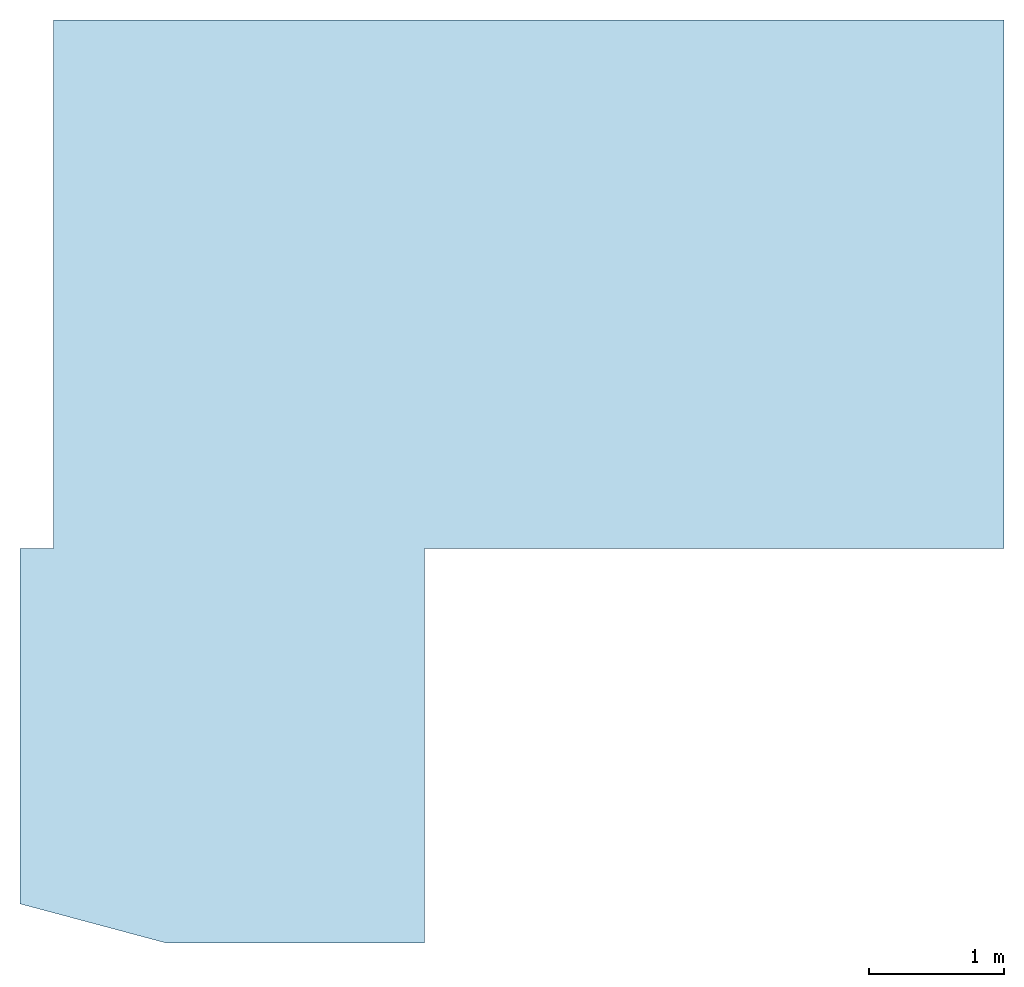
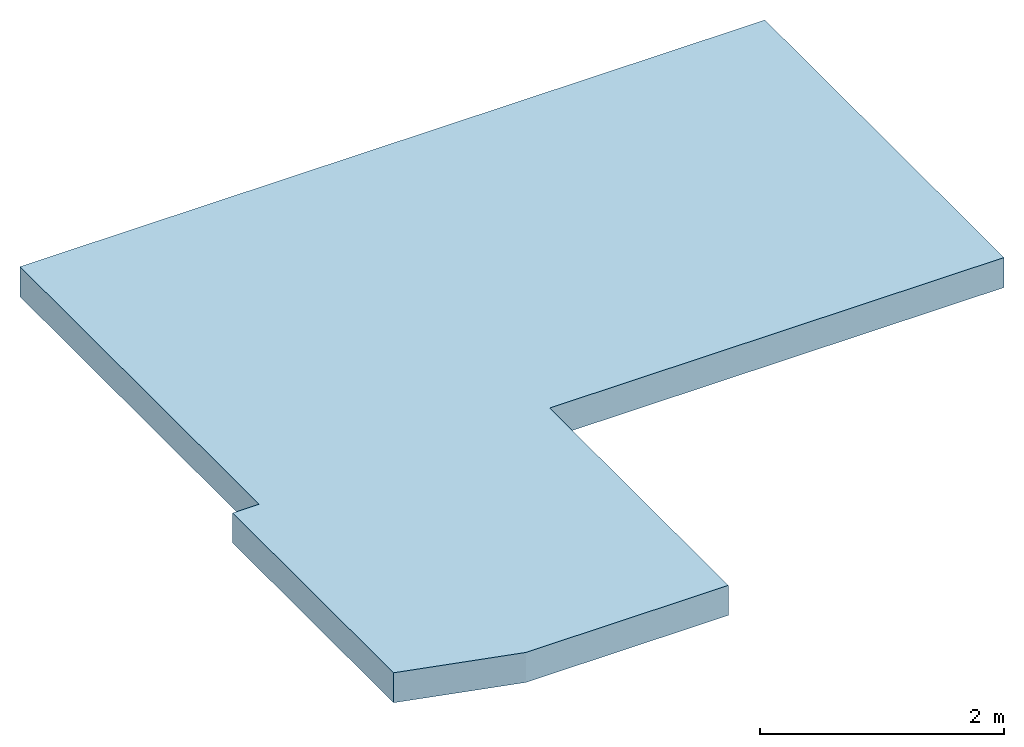
# One storey: 1 slab.
"""IFC4 building model written with IfcOpenShell, lengths in metres."""

from ifc_helpers import new_model, si_unit, direction, frame, origin, place, context, subcontext, project, spatial, polyline, outline, extrude, material, layer, layer_set, type_object, element, save


model = new_model("IFC4")

# Units and contexts
model_context = context("Model", 3, precision=1e-05, world=origin(), true_north=direction((0.0, 1.0)))
body_context = subcontext(model_context, "Body", "Model", "MODEL_VIEW")
ifc_project = project(units=[si_unit("LENGTHUNIT", "METRE"), si_unit("AREAUNIT", "SQUARE_METRE"), si_unit("VOLUMEUNIT", "CUBIC_METRE"), si_unit("PLANEANGLEUNIT", "RADIAN"), si_unit("MASSUNIT", "GRAM", prefix="KILO")], contexts=[model_context])

# Site, building, storey
site_placement = place(None, origin())
site = spatial("IfcSite", under=ifc_project, at=site_placement, CompositionType="ELEMENT")
building_placement = place(site_placement, origin())
building = spatial("IfcBuilding", under=site, at=building_placement, Name="Spindle Arch Residences", CompositionType="ELEMENT")
storey_placement = place(building_placement, frame((0.0, 0.0, 374.800048828125)))
storey = spatial("IfcBuildingStorey", under=building, at=storey_placement, Name="UPPER ROOF 2", CompositionType="ELEMENT", Elevation=374.800048828125)

# Slab
ifc_material = material(Name="Concrete C50/60", Category="concrete")
ifc_layer = layer(ifc_material, 0.300048828125)
ifc_layer_set = layer_set([ifc_layer], Name="Head-house roof slab 300")
slab_type = type_object("IfcSlabType", Name="Head-house roof slab 300", PredefinedType="ROOF", material=ifc_layer_set)
slab_placement = place(storey_placement, origin())
element("IfcSlab", 1, at=slab_placement, inside=storey, type_object=slab_type, Name="Head-house roof", PredefinedType="ROOF", context=body_context, shape_type="SweptSolid", body=[
    extrude(outline(polyline([(-2.64990234375, -11.60693359375), (-1.56640625, -11.897216796875), (0.35009765625, -11.897216796875), (0.35009765625, -11.397216796875), (0.35009765625, -8.969970703125), (4.64990234375, -8.969970703125), (4.64990234375, -5.050048828125), (-2.39990234375, -5.050048828125), (-2.39990234375, -8.969970703125), (-2.64990234375, -8.969970703125), (-2.64990234375, -11.08935546875), (-2.64990234375, -11.60693359375)])), origin(), (0.0, 0.0, 1.0), 0.300048828125),
])

save(model, "model.ifc")
